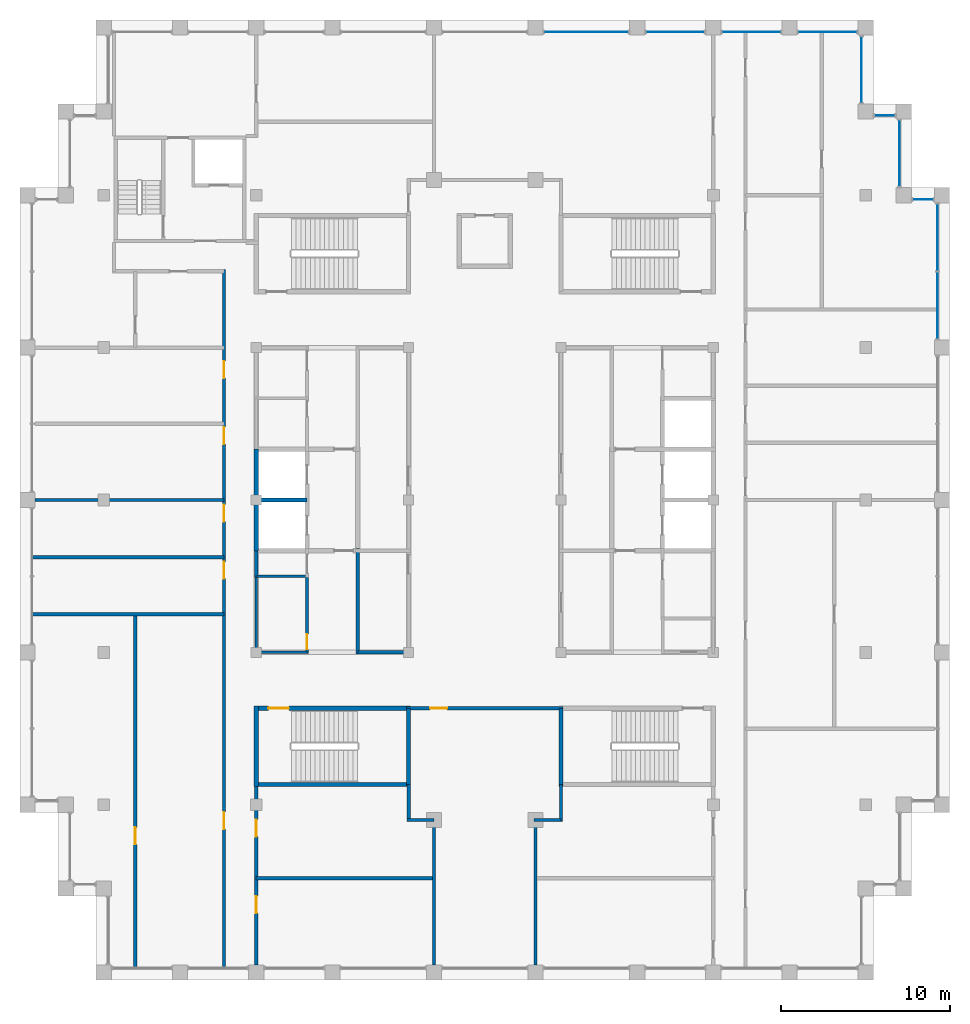
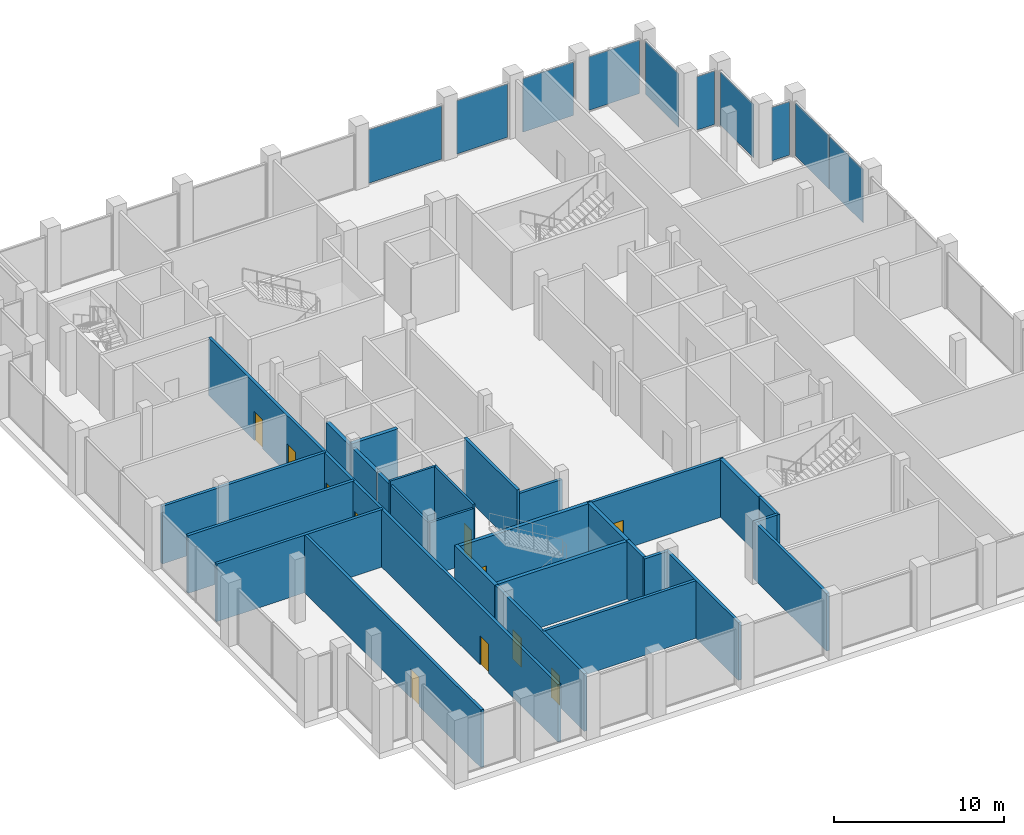
# One storey, part 7 of 12: 28 walls, 11 doors, 10 plates, 11 openings, 9 elements without a shape of their own.
"""IFC4 building model written with IfcOpenShell, lengths in metres."""

from ifc_helpers import new_model, si_unit, direction, frame, frame_2d, origin, origin_2d, place, context, subcontext, project, spatial, rectangle, extrude, material, layer, layer_set, type_object, element, fill, aggregate, save


model = new_model("IFC4")

# Units and contexts
model_context = context("Model", 3, precision=1e-05, world=origin(), true_north=direction((0.0, 1.0)))
body_context = subcontext(model_context, "Body", "Model", "MODEL_VIEW")
ifc_project = project(units=[si_unit("LENGTHUNIT", "METRE"), si_unit("AREAUNIT", "SQUARE_METRE"), si_unit("VOLUMEUNIT", "CUBIC_METRE"), si_unit("PLANEANGLEUNIT", "RADIAN"), si_unit("MASSUNIT", "GRAM", prefix="KILO")], contexts=[model_context])

# Site, building, storey
site_placement = place(None, origin())
site = spatial("IfcSite", under=ifc_project, at=site_placement, CompositionType="ELEMENT")
building_placement = place(site_placement, origin())
building = spatial("IfcBuilding", under=site, at=building_placement, Name="Corbelhall Arena Tower", CompositionType="ELEMENT")
storey_placement = place(building_placement, frame((0.0, 0.0, 356.0)))
storey = spatial("IfcBuildingStorey", under=building, at=storey_placement, Name="L78", CompositionType="ELEMENT", Elevation=356.0)

# Curtain wall, plates
ifc_material_1 = material(Name="Aluminium black anodised", Category="aluminium")
ifc_layer_1 = layer(ifc_material_1, 0.179931640625)
ifc_layer_set_1 = layer_set([ifc_layer_1], Name="EV-CW3 Crown glazing")
curtain_wall_type = type_object("IfcCurtainWallType", Name="EV-CW3 Crown glazing", PredefinedType="NOTDEFINED", material=ifc_layer_set_1)
curtain_wall_1_placement = place(storey_placement, origin())
curtain_wall_1 = element("IfcCurtainWall", 1, at=curtain_wall_1_placement, inside=storey, type_object=curtain_wall_type, Name="Curtain wall CW3", PredefinedType="NOTDEFINED")
ifc_material_2 = material(Name="Glass dark tinted laminated", Category="glass")
ifc_layer_2 = layer(ifc_material_2, 0.028076171875)
ifc_layer_set_2 = layer_set([ifc_layer_2], Name="EV-CW3-PANEL")
plate_type = type_object("IfcPlateType", Name="EV-CW3-PANEL", PredefinedType="CURTAIN_PANEL", material=ifc_layer_set_2)
plate_1_placement = place(storey_placement, frame((26.75, 11.49365234375, 0.074951171875), z_axis=(0.0, 0.0, 1.0), x_axis=(0.0, 1.0, 0.0)))
plate_1 = element("IfcPlate", 2, at=plate_1_placement, type_object=plate_type, Name="CW3 panel 1.1", PredefinedType="CURTAIN_PANEL", context=body_context, shape_type="SweptSolid", body=[
    extrude(rectangle(XDim=3.9375, YDim=0.028076171875, at=origin_2d()), origin(), (0.0, 0.0, 1.0), 3.849609375),
])
plate_2_placement = place(storey_placement, frame((26.75, 15.50634765625, 0.074951171875), z_axis=(0.0, 0.0, 1.0), x_axis=(0.0, 1.0, 0.0)))
plate_2 = element("IfcPlate", 3, at=plate_2_placement, type_object=plate_type, Name="CW3 panel 2.1", PredefinedType="CURTAIN_PANEL", context=body_context, shape_type="SweptSolid", body=[
    extrude(rectangle(XDim=3.9375, YDim=0.028076171875, at=origin_2d()), origin(), (0.0, 0.0, 1.0), 3.849609375),
])
aggregate(curtain_wall_1, [plate_1, plate_2])

# Curtain wall, plate
curtain_wall_2_placement = place(storey_placement, origin())
curtain_wall_2 = element("IfcCurtainWall", 4, at=curtain_wall_2_placement, inside=storey, type_object=curtain_wall_type, Name="Curtain wall CW3B", PredefinedType="NOTDEFINED")
plate_3_placement = place(storey_placement, frame((25.875, 17.75, 0.074951171875), z_axis=(0.0, 0.0, 1.0), x_axis=(-1.0, 0.0, 0.0)))
plate_3 = element("IfcPlate", 5, at=plate_3_placement, type_object=plate_type, Name="CW3B panel 1.1", PredefinedType="CURTAIN_PANEL", context=body_context, shape_type="SweptSolid", body=[
    extrude(rectangle(XDim=1.199951171875, YDim=0.028076171875, at=origin_2d()), origin(), (0.0, 0.0, 1.0), 3.849609375),
])
aggregate(curtain_wall_2, [plate_3])

curtain_wall_3_placement = place(storey_placement, origin())
curtain_wall_3 = element("IfcCurtainWall", 6, at=curtain_wall_3_placement, inside=storey, type_object=curtain_wall_type, Name="Curtain wall CW3", PredefinedType="NOTDEFINED")
plate_4_placement = place(storey_placement, frame((24.5, 20.47509765625, 0.074951171875), z_axis=(0.0, 0.0, 1.0), x_axis=(0.0, 1.0, 0.0)))
plate_4 = element("IfcPlate", 7, at=plate_4_placement, type_object=plate_type, Name="CW3 panel 1.1", PredefinedType="CURTAIN_PANEL", context=body_context, shape_type="SweptSolid", body=[
    extrude(rectangle(XDim=3.89990234375, YDim=0.028076171875, at=origin_2d()), origin(), (0.0, 0.0, 1.0), 3.849609375),
])
aggregate(curtain_wall_3, [plate_4])

curtain_wall_4_placement = place(storey_placement, origin())
curtain_wall_4 = element("IfcCurtainWall", 8, at=curtain_wall_4_placement, inside=storey, type_object=curtain_wall_type, Name="Curtain wall CW3B", PredefinedType="NOTDEFINED")
plate_5_placement = place(storey_placement, frame((23.625, 22.699951171875, 0.074951171875), z_axis=(0.0, 0.0, 1.0), x_axis=(-1.0, 0.0, 0.0)))
plate_5 = element("IfcPlate", 9, at=plate_5_placement, type_object=plate_type, Name="CW3B panel 1.1", PredefinedType="CURTAIN_PANEL", context=body_context, shape_type="SweptSolid", body=[
    extrude(rectangle(XDim=1.199951171875, YDim=0.028076171875, at=origin_2d()), origin(), (0.0, 0.0, 1.0), 3.849609375),
])
aggregate(curtain_wall_4, [plate_5])

curtain_wall_5_placement = place(storey_placement, origin())
curtain_wall_5 = element("IfcCurtainWall", 10, at=curtain_wall_5_placement, inside=storey, type_object=curtain_wall_type, Name="Curtain wall CW3", PredefinedType="NOTDEFINED")
plate_6_placement = place(storey_placement, frame((22.25, 25.425048828125, 0.074951171875), z_axis=(0.0, 0.0, 1.0), x_axis=(0.0, 1.0, 0.0)))
plate_6 = element("IfcPlate", 11, at=plate_6_placement, type_object=plate_type, Name="CW3 panel 1.1", PredefinedType="CURTAIN_PANEL", context=body_context, shape_type="SweptSolid", body=[
    extrude(rectangle(XDim=3.89990234375, YDim=0.028076171875, at=origin_2d()), origin(), (0.0, 0.0, 1.0), 3.849609375),
])
aggregate(curtain_wall_5, [plate_6])

curtain_wall_6_placement = place(storey_placement, origin())
curtain_wall_6 = element("IfcCurtainWall", 12, at=curtain_wall_6_placement, inside=storey, type_object=curtain_wall_type, Name="Curtain wall CW3A", PredefinedType="NOTDEFINED")
plate_7_placement = place(storey_placement, frame((20.25, 27.64990234375, 0.074951171875), z_axis=(0.0, 0.0, 1.0), x_axis=(-1.0, 0.0, 0.0)))
plate_7 = element("IfcPlate", 13, at=plate_7_placement, type_object=plate_type, Name="CW3A panel 1.1", PredefinedType="CURTAIN_PANEL", context=body_context, shape_type="SweptSolid", body=[
    extrude(rectangle(XDim=3.449951171875, YDim=0.028076171875, at=origin_2d()), origin(), (0.0, 0.0, 1.0), 3.849609375),
])
aggregate(curtain_wall_6, [plate_7])

curtain_wall_7_placement = place(storey_placement, origin())
curtain_wall_7 = element("IfcCurtainWall", 14, at=curtain_wall_7_placement, inside=storey, type_object=curtain_wall_type, Name="Curtain wall CW3A", PredefinedType="NOTDEFINED")
plate_8_placement = place(storey_placement, frame((15.75, 27.64990234375, 0.074951171875), z_axis=(0.0, 0.0, 1.0), x_axis=(-1.0, 0.0, 0.0)))
plate_8 = element("IfcPlate", 15, at=plate_8_placement, type_object=plate_type, Name="CW3A panel 1.1", PredefinedType="CURTAIN_PANEL", context=body_context, shape_type="SweptSolid", body=[
    extrude(rectangle(XDim=3.449951171875, YDim=0.028076171875, at=origin_2d()), origin(), (0.0, 0.0, 1.0), 3.849609375),
])
aggregate(curtain_wall_7, [plate_8])

curtain_wall_8_placement = place(storey_placement, origin())
curtain_wall_8 = element("IfcCurtainWall", 16, at=curtain_wall_8_placement, inside=storey, type_object=curtain_wall_type, Name="Curtain wall CW3A", PredefinedType="NOTDEFINED")
plate_9_placement = place(storey_placement, frame((11.25, 27.64990234375, 0.074951171875), z_axis=(0.0, 0.0, 1.0), x_axis=(-1.0, 0.0, 0.0)))
plate_9 = element("IfcPlate", 17, at=plate_9_placement, type_object=plate_type, Name="CW3A panel 1.1", PredefinedType="CURTAIN_PANEL", context=body_context, shape_type="SweptSolid", body=[
    extrude(rectangle(XDim=3.449951171875, YDim=0.028076171875, at=origin_2d()), origin(), (0.0, 0.0, 1.0), 3.849609375),
])
aggregate(curtain_wall_8, [plate_9])

curtain_wall_9_placement = place(storey_placement, origin())
curtain_wall_9 = element("IfcCurtainWall", 18, at=curtain_wall_9_placement, inside=storey, type_object=curtain_wall_type, Name="Curtain wall CW3C", PredefinedType="NOTDEFINED")
plate_10_placement = place(storey_placement, frame((6.0, 27.64990234375, 0.074951171875), z_axis=(0.0, 0.0, 1.0), x_axis=(-1.0, 0.0, 0.0)))
plate_10 = element("IfcPlate", 19, at=plate_10_placement, type_object=plate_type, Name="CW3C panel 1.1", PredefinedType="CURTAIN_PANEL", context=body_context, shape_type="SweptSolid", body=[
    extrude(rectangle(XDim=4.949951171875, YDim=0.028076171875, at=origin_2d()), origin(), (0.0, 0.0, 1.0), 3.849609375),
])
aggregate(curtain_wall_9, [plate_10])

# Walls
ifc_material_3 = material(Name="Gypsum board on steel stud, acoustic", Category="steel")
ifc_layer_3 = layer(ifc_material_3, 0.199951171875)
ifc_layer_set_3 = layer_set([ifc_layer_3], Name="IN-W-DM200")
wall_type_1 = type_object("IfcWallType", Name="IN-W-DM200", PredefinedType="PARTITIONING", material=ifc_layer_set_3)
for number, where, z_axis, x_axis, name in (
    (20, (-26.736083984375, -6.75, 0.0), (0.0, 0.0, 1.0), (1.0, 0.0, 0.0), "Partition 001"),
    (21, (-26.736083984375, -3.375, 0.0), (0.0, 0.0, 1.0), (1.0, 0.0, 0.0), "Partition 002"),
):
    element("IfcWall", number, at=place(storey_placement, frame(where, z_axis=z_axis, x_axis=x_axis)), inside=storey, type_object=wall_type_1, Name=name, PredefinedType="PARTITIONING", context=body_context, shape_type="SweptSolid", body=[
        extrude(rectangle(XDim=11.336181640625, YDim=0.199951171875, at=frame_2d((5.66796875, 0.0))), origin(), (0.0, 0.0, 1.0), 4.149658203125),
    ])

# Wall, opening, door
wall_1_placement = place(storey_placement, frame((-20.64990234375, -27.635986328125, 0.0), z_axis=(0.0, 0.0, 1.0), x_axis=(0.0, 1.0, 0.0)))
wall_1 = element("IfcWall", 22, at=wall_1_placement, inside=storey, type_object=wall_type_1, Name="Partition 007", PredefinedType="PARTITIONING", context=body_context, shape_type="SweptSolid", body=[
    extrude(rectangle(XDim=20.986083984375, YDim=0.199951171875, at=frame_2d((10.4931640625, 0.0))), origin(), (0.0, 0.0, 1.0), 4.149658203125),
])
opening_1_placement = place(wall_1_placement, frame((7.300048828125, 0.0, 0.0)))
opening_1 = element("IfcOpeningElement", 23, at=opening_1_placement, cuts=wall_1, Name="Opening 32033", PredefinedType="OPENING", context=body_context, shape_type="SweptSolid", body=[
    extrude(rectangle(XDim=1.0, YDim=2.10009765625, at=frame_2d((0.5, 1.050048828125))), frame((0.0, 0.10009765625, 0.0), z_axis=(0.0, -1.0, 0.0), x_axis=(1.0, 0.0, 0.0)), (0.0, 0.0, 1.0), 0.199951171875),
])
ifc_material_4 = material(Name="Steel door set", Category="steel")
door_type_1 = type_object("IfcDoorType", Name="IN-D-SW100", OperationType="NOTDEFINED", PredefinedType="DOOR", material=ifc_material_4)
door_1_placement = place(opening_1_placement, origin())
door_1 = element("IfcDoor", 24, at=door_1_placement, inside=storey, type_object=door_type_1, Name="Door 033", OperationType="SINGLE_SWING_RIGHT", OverallHeight=2.10009765625, OverallWidth=1.0, PredefinedType="DOOR", context=body_context, shape_type="SweptSolid", body=[
    extrude(rectangle(XDim=1.0, YDim=2.10009765625, at=frame_2d((0.5, 1.050048828125))), frame((0.0, 0.02490234375, 0.0), z_axis=(0.0, -1.0, 0.0), x_axis=(1.0, 0.0, 0.0)), (0.0, 0.0, 1.0), 0.050048828125),
])
fill(opening_1, door_1)

# Wall, openings, doors
wall_2_placement = place(storey_placement, frame((-15.39990234375, -27.635986328125, 0.0), z_axis=(0.0, 0.0, 1.0), x_axis=(0.0, 1.0, 0.0)))
wall_2 = element("IfcWall", 25, at=wall_2_placement, inside=storey, type_object=wall_type_1, Name="Partition 010", PredefinedType="PARTITIONING", context=body_context, shape_type="SweptSolid", body=[
    extrude(rectangle(XDim=41.236083984375, YDim=0.199951171875, at=frame_2d((20.6181640625, 0.0))), origin(), (0.0, 0.0, 1.0), 4.149658203125),
])
opening_2_placement = place(wall_2_placement, frame((30.93603515625, 0.0, 0.0)))
opening_2 = element("IfcOpeningElement", 26, at=opening_2_placement, cuts=wall_2, Name="Opening 32028", PredefinedType="OPENING", context=body_context, shape_type="SweptSolid", body=[
    extrude(rectangle(XDim=1.0, YDim=2.10009765625, at=frame_2d((0.5, 1.050048828125))), frame((0.0, 0.10009765625, 0.0), z_axis=(0.0, -1.0, 0.0), x_axis=(1.0, 0.0, 0.0)), (0.0, 0.0, 1.0), 0.199951171875),
])
opening_3_placement = place(wall_2_placement, frame((34.8359375, 0.0, 0.0)))
opening_3 = element("IfcOpeningElement", 27, at=opening_3_placement, cuts=wall_2, Name="Opening 32029", PredefinedType="OPENING", context=body_context, shape_type="SweptSolid", body=[
    extrude(rectangle(XDim=1.0, YDim=2.10009765625, at=frame_2d((0.5, 1.050048828125))), frame((0.0, 0.10009765625, 0.0), z_axis=(0.0, -1.0, 0.0), x_axis=(1.0, 0.0, 0.0)), (0.0, 0.0, 1.0), 0.199951171875),
])
opening_4_placement = place(wall_2_placement, frame((8.199951171875, 0.0, 0.0)))
opening_4 = element("IfcOpeningElement", 28, at=opening_4_placement, cuts=wall_2, Name="Opening 32032", PredefinedType="OPENING", context=body_context, shape_type="SweptSolid", body=[
    extrude(rectangle(XDim=1.0, YDim=2.10009765625, at=frame_2d((0.5, 1.050048828125))), frame((0.0, 0.10009765625, 0.0), z_axis=(0.0, -1.0, 0.0), x_axis=(1.0, 0.0, 0.0)), (0.0, 0.0, 1.0), 0.199951171875),
])
opening_5_placement = place(wall_2_placement, frame((22.986083984375, 0.0, 0.0)))
opening_5 = element("IfcOpeningElement", 29, at=opening_5_placement, cuts=wall_2, Name="Opening 32034", PredefinedType="OPENING", context=body_context, shape_type="SweptSolid", body=[
    extrude(rectangle(XDim=1.0, YDim=2.10009765625, at=frame_2d((0.5, 1.050048828125))), frame((0.0, 0.10009765625, 0.0), z_axis=(0.0, -1.0, 0.0), x_axis=(1.0, 0.0, 0.0)), (0.0, 0.0, 1.0), 0.199951171875),
])
opening_6_placement = place(wall_2_placement, frame((26.361083984375, 0.0, 0.0)))
opening_6 = element("IfcOpeningElement", 30, at=opening_6_placement, cuts=wall_2, Name="Opening 32035", PredefinedType="OPENING", context=body_context, shape_type="SweptSolid", body=[
    extrude(rectangle(XDim=1.0, YDim=2.10009765625, at=frame_2d((0.5, 1.050048828125))), frame((0.0, 0.10009765625, 0.0), z_axis=(0.0, -1.0, 0.0), x_axis=(1.0, 0.0, 0.0)), (0.0, 0.0, 1.0), 0.199951171875),
])
door_2_placement = place(opening_2_placement, origin())
door_2 = element("IfcDoor", 31, at=door_2_placement, inside=storey, type_object=door_type_1, Name="Door 028", OperationType="SINGLE_SWING_LEFT", OverallHeight=2.10009765625, OverallWidth=1.0, PredefinedType="DOOR", context=body_context, shape_type="SweptSolid", body=[
    extrude(rectangle(XDim=1.0, YDim=2.10009765625, at=frame_2d((0.5, 1.050048828125))), frame((0.0, 0.02490234375, 0.0), z_axis=(0.0, -1.0, 0.0), x_axis=(1.0, 0.0, 0.0)), (0.0, 0.0, 1.0), 0.050048828125),
])
fill(opening_2, door_2)
door_3_placement = place(opening_3_placement, origin())
door_3 = element("IfcDoor", 32, at=door_3_placement, inside=storey, type_object=door_type_1, Name="Door 029", OperationType="SINGLE_SWING_RIGHT", OverallHeight=2.10009765625, OverallWidth=1.0, PredefinedType="DOOR", context=body_context, shape_type="SweptSolid", body=[
    extrude(rectangle(XDim=1.0, YDim=2.10009765625, at=frame_2d((0.5, 1.050048828125))), frame((0.0, 0.02490234375, 0.0), z_axis=(0.0, -1.0, 0.0), x_axis=(1.0, 0.0, 0.0)), (0.0, 0.0, 1.0), 0.050048828125),
])
fill(opening_3, door_3)
door_4_placement = place(opening_4_placement, origin())
door_4 = element("IfcDoor", 33, at=door_4_placement, inside=storey, type_object=door_type_1, Name="Door 032", OperationType="SINGLE_SWING_LEFT", OverallHeight=2.10009765625, OverallWidth=1.0, PredefinedType="DOOR", context=body_context, shape_type="SweptSolid", body=[
    extrude(rectangle(XDim=1.0, YDim=2.10009765625, at=frame_2d((0.5, 1.050048828125))), frame((0.0, 0.02490234375, 0.0), z_axis=(0.0, -1.0, 0.0), x_axis=(1.0, 0.0, 0.0)), (0.0, 0.0, 1.0), 0.050048828125),
])
fill(opening_4, door_4)
door_5_placement = place(opening_5_placement, origin())
door_5 = element("IfcDoor", 34, at=door_5_placement, inside=storey, type_object=door_type_1, Name="Door 034", OperationType="SINGLE_SWING_LEFT", OverallHeight=2.10009765625, OverallWidth=1.0, PredefinedType="DOOR", context=body_context, shape_type="SweptSolid", body=[
    extrude(rectangle(XDim=1.0, YDim=2.10009765625, at=frame_2d((0.5, 1.050048828125))), frame((0.0, 0.02490234375, 0.0), z_axis=(0.0, -1.0, 0.0), x_axis=(1.0, 0.0, 0.0)), (0.0, 0.0, 1.0), 0.050048828125),
])
fill(opening_5, door_5)
door_6_placement = place(opening_6_placement, origin())
door_6 = element("IfcDoor", 35, at=door_6_placement, inside=storey, type_object=door_type_1, Name="Door 035", OperationType="SINGLE_SWING_RIGHT", OverallHeight=2.10009765625, OverallWidth=1.0, PredefinedType="DOOR", context=body_context, shape_type="SweptSolid", body=[
    extrude(rectangle(XDim=1.0, YDim=2.10009765625, at=frame_2d((0.5, 1.050048828125))), frame((0.0, 0.02490234375, 0.0), z_axis=(0.0, -1.0, 0.0), x_axis=(1.0, 0.0, 0.0)), (0.0, 0.0, 1.0), 0.050048828125),
])
fill(opening_6, door_6)

# Walls
wall_3_placement = place(storey_placement, frame((-15.39990234375, 0.0, 0.0), z_axis=(0.0, 0.0, 1.0), x_axis=(-1.0, 0.0, 0.0)))
element("IfcWall", 36, at=wall_3_placement, inside=storey, type_object=wall_type_1, Name="Partition 011", PredefinedType="PARTITIONING", context=body_context, shape_type="SweptSolid", body=[
    extrude(rectangle(XDim=11.150146484375, YDim=0.199951171875, at=frame_2d((5.5751953125, 0.0))), origin(), (0.0, 0.0, 1.0), 4.149658203125),
])
wall_4_placement = place(storey_placement, frame((-13.5, -22.35009765625, 0.0), z_axis=(0.0, 0.0, 1.0), x_axis=(1.0, 0.0, 0.0)))
element("IfcWall", 37, at=wall_4_placement, inside=storey, type_object=wall_type_1, Name="Partition 013", PredefinedType="PARTITIONING", context=body_context, shape_type="SweptSolid", body=[
    extrude(rectangle(XDim=10.5, YDim=0.199951171875, at=frame_2d((5.25, 0.0))), origin(), (0.0, 0.0, 1.0), 4.149658203125),
])

# Wall, openings, doors
wall_5_placement = place(storey_placement, frame((-13.5, -16.675048828125, 0.0), z_axis=(0.0, 0.0, 1.0), x_axis=(0.0, -1.0, 0.0)))
wall_5 = element("IfcWall", 38, at=wall_5_placement, inside=storey, type_object=wall_type_1, Name="Partition 014", PredefinedType="PARTITIONING", context=body_context, shape_type="SweptSolid", body=[
    extrude(rectangle(XDim=10.77490234375, YDim=0.199951171875, at=frame_2d((5.387451171875, 0.0))), origin(), (0.0, 0.0, 1.0), 4.149658203125),
])
opening_7_placement = place(wall_5_placement, frame((6.72509765625, 0.0, 0.0)))
opening_7 = element("IfcOpeningElement", 39, at=opening_7_placement, cuts=wall_5, Name="Opening 32024", PredefinedType="OPENING", context=body_context, shape_type="SweptSolid", body=[
    extrude(rectangle(XDim=1.0, YDim=2.10009765625, at=frame_2d((0.5, 1.050048828125))), frame((0.0, 0.10009765625, 0.0), z_axis=(0.0, -1.0, 0.0), x_axis=(1.0, 0.0, 0.0)), (0.0, 0.0, 1.0), 0.199951171875),
])
opening_8_placement = place(wall_5_placement, frame((2.199951171875, 0.0, 0.0)))
opening_8 = element("IfcOpeningElement", 40, at=opening_8_placement, cuts=wall_5, Name="Opening 32025", PredefinedType="OPENING", context=body_context, shape_type="SweptSolid", body=[
    extrude(rectangle(XDim=1.0, YDim=2.10009765625, at=frame_2d((0.5, 1.050048828125))), frame((0.0, 0.10009765625, 0.0), z_axis=(0.0, -1.0, 0.0), x_axis=(1.0, 0.0, 0.0)), (0.0, 0.0, 1.0), 0.199951171875),
])
door_7_placement = place(opening_7_placement, origin())
door_7 = element("IfcDoor", 41, at=door_7_placement, inside=storey, type_object=door_type_1, Name="Door 024", OperationType="SINGLE_SWING_LEFT", OverallHeight=2.10009765625, OverallWidth=1.0, PredefinedType="DOOR", context=body_context, shape_type="SweptSolid", body=[
    extrude(rectangle(XDim=1.0, YDim=2.10009765625, at=frame_2d((0.5, 1.050048828125))), frame((0.0, 0.02490234375, 0.0), z_axis=(0.0, -1.0, 0.0), x_axis=(1.0, 0.0, 0.0)), (0.0, 0.0, 1.0), 0.050048828125),
])
fill(opening_7, door_7)
door_8_placement = place(opening_8_placement, origin())
door_8 = element("IfcDoor", 42, at=door_8_placement, inside=storey, type_object=door_type_1, Name="Door 025", OperationType="SINGLE_SWING_RIGHT", OverallHeight=2.10009765625, OverallWidth=1.0, PredefinedType="DOOR", context=body_context, shape_type="SweptSolid", body=[
    extrude(rectangle(XDim=1.0, YDim=2.10009765625, at=frame_2d((0.5, 1.050048828125))), frame((0.0, 0.02490234375, 0.0), z_axis=(0.0, -1.0, 0.0), x_axis=(1.0, 0.0, 0.0)), (0.0, 0.0, 1.0), 0.050048828125),
])
fill(opening_8, door_8)

# Walls
wall_6_placement = place(storey_placement, frame((-4.5, -18.89990234375, 0.0), z_axis=(0.0, 0.0, 1.0), x_axis=(0.0, 1.0, 0.0)))
element("IfcWall", 43, at=wall_6_placement, inside=storey, type_object=wall_type_1, Name="Partition 018", PredefinedType="PARTITIONING", context=body_context, shape_type="SweptSolid", body=[
    extrude(rectangle(XDim=2.099853515625, YDim=0.199951171875, at=frame_2d((1.0498046875, 0.0))), origin(), (0.0, 0.0, 1.0), 4.149658203125),
])
wall_7_placement = place(storey_placement, frame((-3.0, -27.449951171875, 0.0), z_axis=(0.0, 0.0, 1.0), x_axis=(0.0, 1.0, 0.0)))
element("IfcWall", 44, at=wall_7_placement, inside=storey, type_object=wall_type_1, Name="Partition 021", PredefinedType="PARTITIONING", context=body_context, shape_type="SweptSolid", body=[
    extrude(rectangle(XDim=8.64990234375, YDim=0.199951171875, at=frame_2d((4.324951171875, 0.0))), origin(), (0.0, 0.0, 1.0), 4.149658203125),
])
wall_8_placement = place(storey_placement, frame((-3.0, -18.89990234375, 0.0), z_axis=(0.0, 0.0, 1.0), x_axis=(-1.0, 0.0, 0.0)))
element("IfcWall", 45, at=wall_8_placement, inside=storey, type_object=wall_type_1, Name="Partition 022", PredefinedType="PARTITIONING", context=body_context, shape_type="SweptSolid", body=[
    extrude(rectangle(XDim=1.60009765625, YDim=0.199951171875, at=frame_2d((0.800048828125, 0.0))), origin(), (0.0, 0.0, 1.0), 4.149658203125),
])
wall_9_placement = place(storey_placement, frame((3.0, -18.89990234375, 0.0), z_axis=(0.0, 0.0, 1.0), x_axis=(0.0, -1.0, 0.0)))
element("IfcWall", 46, at=wall_9_placement, inside=storey, type_object=wall_type_1, Name="Partition 025", PredefinedType="PARTITIONING", context=body_context, shape_type="SweptSolid", body=[
    extrude(rectangle(XDim=8.550048828125, YDim=0.199951171875, at=frame_2d((4.27490234375, 0.0))), origin(), (0.0, 0.0, 1.0), 4.149658203125),
])
wall_10_placement = place(storey_placement, frame((4.5, -18.89990234375, 0.0), z_axis=(0.0, 0.0, 1.0), x_axis=(-1.0, 0.0, 0.0)))
element("IfcWall", 47, at=wall_10_placement, inside=storey, type_object=wall_type_1, Name="Partition 026", PredefinedType="PARTITIONING", context=body_context, shape_type="SweptSolid", body=[
    extrude(rectangle(XDim=1.60009765625, YDim=0.199951171875, at=frame_2d((0.800048828125, 0.0))), origin(), (0.0, 0.0, 1.0), 4.149658203125),
])
wall_11_placement = place(storey_placement, frame((4.5, -16.800048828125, 0.0), z_axis=(0.0, 0.0, 1.0), x_axis=(0.0, -1.0, 0.0)))
element("IfcWall", 48, at=wall_11_placement, inside=storey, type_object=wall_type_1, Name="Partition 027", PredefinedType="PARTITIONING", context=body_context, shape_type="SweptSolid", body=[
    extrude(rectangle(XDim=2.199951171875, YDim=0.199951171875, at=frame_2d((1.10009765625, 0.0))), origin(), (0.0, 0.0, 1.0), 4.149658203125),
])

# Wall, opening, door
wall_12_placement = place(storey_placement, frame((4.625, -12.300048828125, 0.0), z_axis=(0.0, 0.0, 1.0), x_axis=(-1.0, 0.0, 0.0)))
wall_12 = element("IfcWall", 49, at=wall_12_placement, inside=storey, type_object=wall_type_1, Name="Partition 029", PredefinedType="PARTITIONING", context=body_context, shape_type="SweptSolid", body=[
    extrude(rectangle(XDim=9.25, YDim=0.199951171875, at=frame_2d((4.625, 0.0))), origin(), (0.0, 0.0, 1.0), 4.149658203125),
])
opening_9_placement = place(wall_12_placement, frame((6.85009765625, 0.0, 0.0)))
opening_9 = element("IfcOpeningElement", 50, at=opening_9_placement, cuts=wall_12, Name="Opening 32020", PredefinedType="OPENING", context=body_context, shape_type="SweptSolid", body=[
    extrude(rectangle(XDim=1.0, YDim=2.10009765625, at=frame_2d((0.5, 1.050048828125))), frame((0.0, 0.10009765625, 0.0), z_axis=(0.0, -1.0, 0.0), x_axis=(1.0, 0.0, 0.0)), (0.0, 0.0, 1.0), 0.199951171875),
])
door_9_placement = place(opening_9_placement, origin())
door_9 = element("IfcDoor", 51, at=door_9_placement, inside=storey, type_object=door_type_1, Name="Door 020", OperationType="SINGLE_SWING_LEFT", OverallHeight=2.10009765625, OverallWidth=1.0, PredefinedType="DOOR", context=body_context, shape_type="SweptSolid", body=[
    extrude(rectangle(XDim=1.0, YDim=2.10009765625, at=frame_2d((0.5, 1.050048828125))), frame((0.0, 0.02490234375, 0.0), z_axis=(0.0, -1.0, 0.0), x_axis=(1.0, 0.0, 0.0)), (0.0, 0.0, 1.0), 0.050048828125),
])
fill(opening_9, door_9)

# Walls
ifc_material_5 = material(Name="Concrete block wall", Category="concrete")
ifc_layer_4 = layer(ifc_material_5, 0.199951171875)
ifc_layer_set_4 = layer_set([ifc_layer_4], Name="IN-W-RS200")
wall_type_2 = type_object("IfcWallType", Name="IN-W-RS200", PredefinedType="SOLIDWALL", material=ifc_layer_set_4)
wall_13_placement = place(storey_placement, frame((-7.5, -9.10009765625, 0.0), z_axis=(0.0, 0.0, 1.0), x_axis=(0.0, 1.0, 0.0)))
element("IfcWall", 52, at=wall_13_placement, inside=storey, type_object=wall_type_2, Name="Partition 047", PredefinedType="SOLIDWALL", context=body_context, shape_type="SweptSolid", body=[
    extrude(rectangle(XDim=6.22509765625, YDim=0.199951171875, at=frame_2d((3.112548828125, 0.0))), origin(), (0.0, 0.0, 1.0), 4.149658203125),
])
ifc_layer_5 = layer(ifc_material_5, 0.199951171875)
ifc_layer_set_5 = layer_set([ifc_layer_5], Name="IN-W-RS200 under beam 312 mm")
wall_type_3 = type_object("IfcWallType", Name="IN-W-RS200 under beam 312 mm", PredefinedType="SOLIDWALL", material=ifc_layer_set_5)
wall_14_placement = place(storey_placement, frame((-13.5, -4.5, 0.0), z_axis=(0.0, 0.0, 1.0), x_axis=(0.0, 1.0, 0.0)))
element("IfcWall", 53, at=wall_14_placement, inside=storey, type_object=wall_type_3, Name="Partition 041", PredefinedType="SOLIDWALL", context=body_context, shape_type="SweptSolid", body=[
    extrude(rectangle(XDim=1.5, YDim=0.199951171875, at=frame_2d((0.75, 0.0))), origin(), (0.0, 0.0, 1.0), 3.837646484375),
])
wall_15_placement = place(storey_placement, frame((-4.5, -9.0, 0.0), z_axis=(0.0, 0.0, 1.0), x_axis=(-1.0, 0.0, 0.0)))
element("IfcWall", 54, at=wall_15_placement, inside=storey, type_object=wall_type_3, Name="Partition 050", PredefinedType="SOLIDWALL", context=body_context, shape_type="SweptSolid", body=[
    extrude(rectangle(XDim=3.0, YDim=0.199951171875, at=frame_2d((1.5, 0.0))), origin(), (0.0, 0.0, 1.0), 3.837646484375),
])
ifc_material_6 = material(Name="Concrete C40/50", Category="concrete")
ifc_layer_6 = layer(ifc_material_6, 0.25)
ifc_layer_set_6 = layer_set([ifc_layer_6], Name="IN-W-SH250")
wall_type_4 = type_object("IfcWallType", Name="IN-W-SH250", PredefinedType="SOLIDWALL", material=ifc_layer_set_6)
wall_16_placement = place(storey_placement, frame((-13.625, 0.0, 0.0), z_axis=(0.0, 0.0, 1.0), x_axis=(1.0, 0.0, 0.0)))
element("IfcWall", 55, at=wall_16_placement, inside=storey, type_object=wall_type_4, Name="Shaft wall 063", PredefinedType="SOLIDWALL", context=body_context, shape_type="SweptSolid", body=[
    extrude(rectangle(XDim=3.125, YDim=0.25, at=frame_2d((1.5625, 0.0))), origin(), (0.0, 0.0, 1.0), 4.149658203125),
])
ifc_layer_7 = layer(ifc_material_6, 0.25)
ifc_layer_set_7 = layer_set([ifc_layer_7], Name="IN-W-SH250 under beam 312 mm")
wall_type_5 = type_object("IfcWallType", Name="IN-W-SH250 under beam 312 mm", PredefinedType="SOLIDWALL", material=ifc_layer_set_7)
wall_17_placement = place(storey_placement, frame((-13.5, -3.0, 0.0), z_axis=(0.0, 0.0, 1.0), x_axis=(0.0, 1.0, 0.0)))
element("IfcWall", 56, at=wall_17_placement, inside=storey, type_object=wall_type_5, Name="Shaft wall 065", PredefinedType="SOLIDWALL", context=body_context, shape_type="SweptSolid", body=[
    extrude(rectangle(XDim=6.0, YDim=0.25, at=frame_2d((3.0, 0.0))), origin(), (0.0, 0.0, 1.0), 3.837646484375),
])
ifc_layer_8 = layer(ifc_material_6, 0.25)
ifc_layer_set_8 = layer_set([ifc_layer_8], Name="IN-W-ST250")
wall_type_6 = type_object("IfcWallType", Name="IN-W-ST250", PredefinedType="SOLIDWALL", material=ifc_layer_set_8)
wall_18_placement = place(storey_placement, frame((-13.5, -12.175048828125, 0.0), z_axis=(0.0, 0.0, 1.0), x_axis=(0.0, -1.0, 0.0)))
element("IfcWall", 57, at=wall_18_placement, inside=storey, type_object=wall_type_6, Name="Shaft wall 080", PredefinedType="SOLIDWALL", context=body_context, shape_type="SweptSolid", body=[
    extrude(rectangle(XDim=4.75, YDim=0.25, at=frame_2d((2.375, 0.0))), origin(), (0.0, 0.0, 1.0), 4.149658203125),
])
wall_19_placement = place(storey_placement, frame((-4.5, -12.300048828125, 0.0), z_axis=(0.0, 0.0, 1.0), x_axis=(0.0, -1.0, 0.0)))
element("IfcWall", 58, at=wall_19_placement, inside=storey, type_object=wall_type_6, Name="Shaft wall 084", PredefinedType="SOLIDWALL", context=body_context, shape_type="SweptSolid", body=[
    extrude(rectangle(XDim=4.625, YDim=0.25, at=frame_2d((2.3125, 0.0))), origin(), (0.0, 0.0, 1.0), 4.149658203125),
])
wall_20_placement = place(storey_placement, frame((-4.39990234375, -16.800048828125, 0.0), z_axis=(0.0, 0.0, 1.0), x_axis=(-1.0, 0.0, 0.0)))
element("IfcWall", 59, at=wall_20_placement, inside=storey, type_object=wall_type_6, Name="Shaft wall 086", PredefinedType="SOLIDWALL", context=body_context, shape_type="SweptSolid", body=[
    extrude(rectangle(XDim=9.10009765625, YDim=0.25, at=frame_2d((4.550048828125, 0.0))), origin(), (0.0, 0.0, 1.0), 4.149658203125),
])

# Wall, opening, door
wall_21_placement = place(storey_placement, frame((-4.375, -12.300048828125, 0.0), z_axis=(0.0, 0.0, 1.0), x_axis=(-1.0, 0.0, 0.0)))
wall_21 = element("IfcWall", 60, at=wall_21_placement, inside=storey, type_object=wall_type_6, Name="Shaft wall 087", PredefinedType="SOLIDWALL", context=body_context, shape_type="SweptSolid", body=[
    extrude(rectangle(XDim=9.125, YDim=0.25, at=frame_2d((4.5625, 0.0))), origin(), (0.0, 0.0, 1.0), 4.149658203125),
])
opening_10_placement = place(wall_21_placement, frame((7.199951171875, 0.0, 0.0)))
opening_10 = element("IfcOpeningElement", 61, at=opening_10_placement, cuts=wall_21, Name="Opening 32017", PredefinedType="OPENING", context=body_context, shape_type="SweptSolid", body=[
    extrude(rectangle(XDim=1.199951171875, YDim=2.10009765625, at=frame_2d((0.60009765625, 1.050048828125))), frame((0.0, 0.125, 0.0), z_axis=(0.0, -1.0, 0.0), x_axis=(1.0, 0.0, 0.0)), (0.0, 0.0, 1.0), 0.25),
])
door_type_2 = type_object("IfcDoorType", Name="IN-D-ST120", OperationType="NOTDEFINED", PredefinedType="DOOR", material=ifc_material_4)
door_10_placement = place(opening_10_placement, origin())
door_10 = element("IfcDoor", 62, at=door_10_placement, inside=storey, type_object=door_type_2, Name="Door 017", OperationType="SINGLE_SWING_RIGHT", OverallHeight=2.10009765625, OverallWidth=1.199951171875, PredefinedType="DOOR", context=body_context, shape_type="SweptSolid", body=[
    extrude(rectangle(XDim=1.199951171875, YDim=2.10009765625, at=frame_2d((0.60009765625, 1.050048828125))), frame((0.0, 0.02490234375, 0.0), z_axis=(0.0, -1.0, 0.0), x_axis=(1.0, 0.0, 0.0)), (0.0, 0.0, 1.0), 0.050048828125),
])
fill(opening_10, door_10)

# Walls
wall_22_placement = place(storey_placement, frame((4.5, -16.925048828125, 0.0), z_axis=(0.0, 0.0, 1.0), x_axis=(0.0, 1.0, 0.0)))
element("IfcWall", 63, at=wall_22_placement, inside=storey, type_object=wall_type_6, Name="Shaft wall 090", PredefinedType="SOLIDWALL", context=body_context, shape_type="SweptSolid", body=[
    extrude(rectangle(XDim=4.625, YDim=0.25, at=frame_2d((2.3125, 0.0))), origin(), (0.0, 0.0, 1.0), 4.149658203125),
])
ifc_material_7 = material(Name="Gypsum board on steel stud, moisture resistant", Category="steel")
ifc_layer_9 = layer(ifc_material_7, 0.14990234375)
ifc_layer_set_9 = layer_set([ifc_layer_9], Name="IN-W-WC150")
wall_type_7 = type_object("IfcWallType", Name="IN-W-WC150", PredefinedType="PARTITIONING", material=ifc_layer_set_9)
wall_23_placement = place(storey_placement, frame((-13.60009765625, -4.5, 0.0), z_axis=(0.0, 0.0, 1.0), x_axis=(1.0, 0.0, 0.0)))
element("IfcWall", 64, at=wall_23_placement, inside=storey, type_object=wall_type_7, Name="Partition 096", PredefinedType="PARTITIONING", context=body_context, shape_type="SweptSolid", body=[
    extrude(rectangle(XDim=3.10009765625, YDim=0.14990234375, at=frame_2d((1.550048828125, 0.0))), origin(), (0.0, 0.0, 1.0), 4.149658203125),
])

# Wall, opening, door
wall_24_placement = place(storey_placement, frame((-10.5, -9.074951171875, 0.0), z_axis=(0.0, 0.0, 1.0), x_axis=(0.0, 1.0, 0.0)))
wall_24 = element("IfcWall", 65, at=wall_24_placement, inside=storey, type_object=wall_type_7, Name="Partition 100", PredefinedType="PARTITIONING", context=body_context, shape_type="SweptSolid", body=[
    extrude(rectangle(XDim=4.64990234375, YDim=0.14990234375, at=frame_2d((2.324951171875, 0.0))), origin(), (0.0, 0.0, 1.0), 4.149658203125),
])
opening_11_placement = place(wall_24_placement, frame((0.25, 0.0, 0.0)))
opening_11 = element("IfcOpeningElement", 66, at=opening_11_placement, cuts=wall_24, Name="Opening 32005", PredefinedType="OPENING", context=body_context, shape_type="SweptSolid", body=[
    extrude(rectangle(XDim=0.89990234375, YDim=2.10009765625, at=frame_2d((0.449951171875, 1.050048828125))), frame((0.0, 0.074951171875, 0.0), z_axis=(0.0, -1.0, 0.0), x_axis=(1.0, 0.0, 0.0)), (0.0, 0.0, 1.0), 0.14990234375),
])
ifc_material_8 = material(Name="Timber door set", Category="wood")
door_type_3 = type_object("IfcDoorType", Name="IN-D-SW90", OperationType="NOTDEFINED", PredefinedType="DOOR", material=ifc_material_8)
door_11_placement = place(opening_11_placement, origin())
door_11 = element("IfcDoor", 67, at=door_11_placement, inside=storey, type_object=door_type_3, Name="Door 005", OperationType="SINGLE_SWING_RIGHT", OverallHeight=2.10009765625, OverallWidth=0.89990234375, PredefinedType="DOOR", context=body_context, shape_type="SweptSolid", body=[
    extrude(rectangle(XDim=0.89990234375, YDim=2.10009765625, at=frame_2d((0.449951171875, 1.050048828125))), frame((0.0, 0.02490234375, 0.0), z_axis=(0.0, -1.0, 0.0), x_axis=(1.0, 0.0, 0.0)), (0.0, 0.0, 1.0), 0.050048828125),
])
fill(opening_11, door_11)

# Walls
ifc_layer_10 = layer(ifc_material_7, 0.14990234375)
ifc_layer_set_10 = layer_set([ifc_layer_10], Name="IN-W-WC150 under beam 312 mm")
wall_type_8 = type_object("IfcWallType", Name="IN-W-WC150 under beam 312 mm", PredefinedType="PARTITIONING", material=ifc_layer_set_10)
wall_25_placement = place(storey_placement, frame((-13.5, -9.074951171875, 0.0), z_axis=(0.0, 0.0, 1.0), x_axis=(0.0, 1.0, 0.0)))
element("IfcWall", 68, at=wall_25_placement, inside=storey, type_object=wall_type_8, Name="Partition 098", PredefinedType="PARTITIONING", context=body_context, shape_type="SweptSolid", body=[
    extrude(rectangle(XDim=4.574951171875, YDim=0.14990234375, at=frame_2d((2.28759765625, 0.0))), origin(), (0.0, 0.0, 1.0), 3.837646484375),
])
wall_26_placement = place(storey_placement, frame((-10.5, -9.0, 0.0), z_axis=(0.0, 0.0, 1.0), x_axis=(-1.0, 0.0, 0.0)))
element("IfcWall", 69, at=wall_26_placement, inside=storey, type_object=wall_type_8, Name="Partition 101", PredefinedType="PARTITIONING", context=body_context, shape_type="SweptSolid", body=[
    extrude(rectangle(XDim=3.0, YDim=0.14990234375, at=frame_2d((1.5, 0.0))), origin(), (0.0, 0.0, 1.0), 3.837646484375),
])

save(model, "model.ifc")
